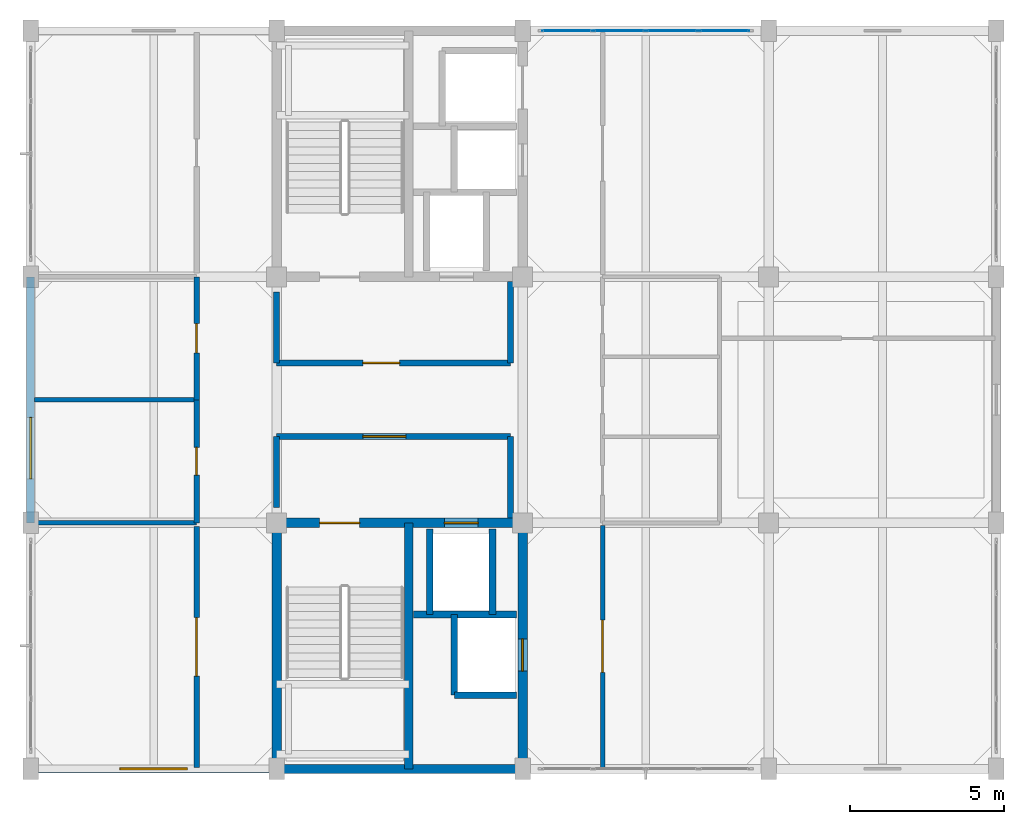
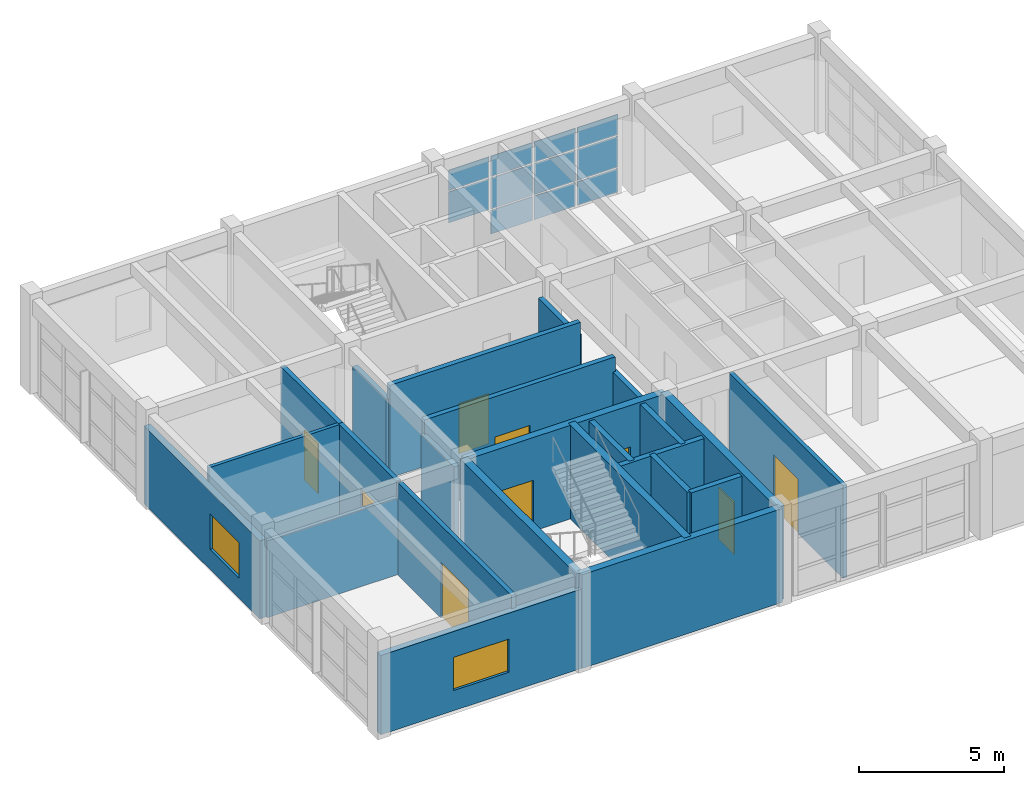
# One storey, part 12 of 16: 24 walls, 11 plates, 9 doors, 2 windows, 11 openings, 1 element without a shape of its own.
"""IFC4 building model written with IfcOpenShell, lengths in metres."""

from ifc_helpers import new_model, si_unit, direction, frame, frame_2d, origin, origin_2d, place, context, subcontext, project, spatial, rectangle, extrude, material, layer, layer_set, type_object, element, fill, aggregate, save


model = new_model("IFC4")

# Units and contexts
model_context = context("Model", 3, precision=1e-05, world=origin(), true_north=direction((0.0, 1.0)))
body_context = subcontext(model_context, "Body", "Model", "MODEL_VIEW")
ifc_project = project(units=[si_unit("LENGTHUNIT", "METRE"), si_unit("AREAUNIT", "SQUARE_METRE"), si_unit("VOLUMEUNIT", "CUBIC_METRE"), si_unit("PLANEANGLEUNIT", "RADIAN"), si_unit("MASSUNIT", "GRAM", prefix="KILO")], contexts=[model_context])

# Site, building, storey
site_placement = place(None, origin())
site = spatial("IfcSite", under=ifc_project, at=site_placement, CompositionType="ELEMENT")
building_placement = place(site_placement, origin())
building = spatial("IfcBuilding", under=site, at=building_placement, Name="Canggui Botanical Conservatory", CompositionType="ELEMENT")
storey_placement = place(building_placement, frame((0.0, 0.0, 65.39990234375)))
storey = spatial("IfcBuildingStorey", under=building, at=storey_placement, Name="L16", CompositionType="ELEMENT", Elevation=65.39990234375)

# Curtain wall, plates
ifc_material_1 = material(Name="Thermally Broken Aluminium", Category="aluminium")
ifc_layer_1 = layer(ifc_material_1, 0.179931640625, Name="Thermally Broken Aluminium", Category="aluminium")
ifc_layer_set_1 = layer_set([ifc_layer_1], Name="Thermally Broken Aluminium")
curtain_wall_type = type_object("IfcCurtainWallType", Name="CW-UNIT-A", PredefinedType="USERDEFINED", material=ifc_layer_set_1)
curtain_wall_placement = place(storey_placement, origin())
curtain_wall = element("IfcCurtainWall", 1, at=curtain_wall_placement, inside=storey, type_object=curtain_wall_type, Name="Facade Curtain Wall CW-TWR-L16-08", ObjectType="UNITISED CURTAIN WALL", PredefinedType="USERDEFINED")
ifc_material_2 = material(Name="Low-E Insulated Glass", Category="glass")
ifc_layer_2 = layer(ifc_material_2, 0.02587890625, Name="Low-E Insulated Glass", Category="glass")
ifc_layer_set_2 = layer_set([ifc_layer_2], Name="Low-E Insulated Glass")
plate_type = type_object("IfcPlateType", Name="CWP-01", PredefinedType="CURTAIN_PANEL", material=ifc_layer_set_2)
plate_1_placement = place(storey_placement, frame((163.4375, 66.0, 1.12353515625), z_axis=(0.0, 0.0, 1.0), x_axis=(1.0, 0.0, 0.0)))
plate_1 = element("IfcPlate", 2, at=plate_1_placement, type_object=plate_type, Name="CW-01 panel 1.2", PredefinedType="CURTAIN_PANEL", context=body_context, shape_type="SweptSolid", body=[
    extrude(rectangle(XDim=1.614990234375, YDim=0.02587890625, at=origin_2d()), origin(), (0.0, 0.0, 1.0), 1.299072265625),
])
plate_2_placement = place(storey_placement, frame((163.4375, 66.0, 2.48779296875), z_axis=(0.0, 0.0, 1.0), x_axis=(1.0, 0.0, 0.0)))
plate_2 = element("IfcPlate", 3, at=plate_2_placement, type_object=plate_type, Name="CW-01 panel 1.3", PredefinedType="CURTAIN_PANEL", context=body_context, shape_type="SweptSolid", body=[
    extrude(rectangle(XDim=1.614990234375, YDim=0.02587890625, at=origin_2d()), origin(), (0.0, 0.0, 1.0), 0.857421875),
])
plate_3_placement = place(storey_placement, frame((165.139892578125, 66.0, 0.065185546875), z_axis=(0.0, 0.0, 1.0), x_axis=(1.0, 0.0, 0.0)))
plate_3 = element("IfcPlate", 4, at=plate_3_placement, type_object=plate_type, Name="CW-01 panel 2.1", PredefinedType="CURTAIN_PANEL", context=body_context, shape_type="SweptSolid", body=[
    extrude(rectangle(XDim=1.64990234375, YDim=0.02587890625, at=origin_2d()), origin(), (0.0, 0.0, 1.0), 0.99365234375),
])
plate_4_placement = place(storey_placement, frame((165.139892578125, 66.0, 1.12353515625), z_axis=(0.0, 0.0, 1.0), x_axis=(1.0, 0.0, 0.0)))
plate_4 = element("IfcPlate", 5, at=plate_4_placement, type_object=plate_type, Name="CW-01 panel 2.2", PredefinedType="CURTAIN_PANEL", context=body_context, shape_type="SweptSolid", body=[
    extrude(rectangle(XDim=1.64990234375, YDim=0.02587890625, at=origin_2d()), origin(), (0.0, 0.0, 1.0), 1.299072265625),
])
plate_5_placement = place(storey_placement, frame((165.139892578125, 66.0, 2.48779296875), z_axis=(0.0, 0.0, 1.0), x_axis=(1.0, 0.0, 0.0)))
plate_5 = element("IfcPlate", 6, at=plate_5_placement, type_object=plate_type, Name="CW-01 panel 2.3", PredefinedType="CURTAIN_PANEL", context=body_context, shape_type="SweptSolid", body=[
    extrude(rectangle(XDim=1.64990234375, YDim=0.02587890625, at=origin_2d()), origin(), (0.0, 0.0, 1.0), 0.857421875),
])
plate_6_placement = place(storey_placement, frame((166.860107421875, 66.0, 0.065185546875), z_axis=(0.0, 0.0, 1.0), x_axis=(1.0, 0.0, 0.0)))
plate_6 = element("IfcPlate", 7, at=plate_6_placement, type_object=plate_type, Name="CW-01 panel 3.1", PredefinedType="CURTAIN_PANEL", context=body_context, shape_type="SweptSolid", body=[
    extrude(rectangle(XDim=1.64990234375, YDim=0.02587890625, at=origin_2d()), origin(), (0.0, 0.0, 1.0), 0.99365234375),
])
plate_7_placement = place(storey_placement, frame((166.860107421875, 66.0, 1.12353515625), z_axis=(0.0, 0.0, 1.0), x_axis=(1.0, 0.0, 0.0)))
plate_7 = element("IfcPlate", 8, at=plate_7_placement, type_object=plate_type, Name="CW-01 panel 3.2", PredefinedType="CURTAIN_PANEL", context=body_context, shape_type="SweptSolid", body=[
    extrude(rectangle(XDim=1.64990234375, YDim=0.02587890625, at=origin_2d()), origin(), (0.0, 0.0, 1.0), 1.299072265625),
])
plate_8_placement = place(storey_placement, frame((166.860107421875, 66.0, 2.48779296875), z_axis=(0.0, 0.0, 1.0), x_axis=(1.0, 0.0, 0.0)))
plate_8 = element("IfcPlate", 9, at=plate_8_placement, type_object=plate_type, Name="CW-01 panel 3.3", PredefinedType="CURTAIN_PANEL", context=body_context, shape_type="SweptSolid", body=[
    extrude(rectangle(XDim=1.64990234375, YDim=0.02587890625, at=origin_2d()), origin(), (0.0, 0.0, 1.0), 0.857421875),
])
plate_9_placement = place(storey_placement, frame((168.5625, 66.0, 0.065185546875), z_axis=(0.0, 0.0, 1.0), x_axis=(1.0, 0.0, 0.0)))
plate_9 = element("IfcPlate", 10, at=plate_9_placement, type_object=plate_type, Name="CW-01 panel 4.1", PredefinedType="CURTAIN_PANEL", context=body_context, shape_type="SweptSolid", body=[
    extrude(rectangle(XDim=1.614990234375, YDim=0.02587890625, at=origin_2d()), origin(), (0.0, 0.0, 1.0), 0.99365234375),
])
plate_10_placement = place(storey_placement, frame((168.5625, 66.0, 1.12353515625), z_axis=(0.0, 0.0, 1.0), x_axis=(1.0, 0.0, 0.0)))
plate_10 = element("IfcPlate", 11, at=plate_10_placement, type_object=plate_type, Name="CW-01 panel 4.2", PredefinedType="CURTAIN_PANEL", context=body_context, shape_type="SweptSolid", body=[
    extrude(rectangle(XDim=1.614990234375, YDim=0.02587890625, at=origin_2d()), origin(), (0.0, 0.0, 1.0), 1.299072265625),
])
plate_11_placement = place(storey_placement, frame((168.5625, 66.0, 2.48779296875), z_axis=(0.0, 0.0, 1.0), x_axis=(1.0, 0.0, 0.0)))
plate_11 = element("IfcPlate", 12, at=plate_11_placement, type_object=plate_type, Name="CW-01 panel 4.3", PredefinedType="CURTAIN_PANEL", context=body_context, shape_type="SweptSolid", body=[
    extrude(rectangle(XDim=1.614990234375, YDim=0.02587890625, at=origin_2d()), origin(), (0.0, 0.0, 1.0), 0.857421875),
])
aggregate(curtain_wall, [plate_1, plate_2, plate_3, plate_4, plate_5, plate_6, plate_7, plate_8, plate_9, plate_10, plate_11])

# Wall, opening, window
ifc_material_3 = material(Name="Precast Concrete C40", Category="concrete")
ifc_layer_3 = layer(ifc_material_3, 0.260009765625, Name="Precast Concrete C40", Category="concrete")
ifc_layer_set_3 = layer_set([ifc_layer_3], Name="Precast Concrete C40")
wall_type_1 = type_object("IfcWallType", Name="EW-260", PredefinedType="STANDARD", material=ifc_layer_set_3)
wall_1_placement = place(storey_placement, frame((154.0, 42.0, 0.0), z_axis=(0.0, 0.0, 1.0), x_axis=(-1.0, 0.0, 0.0)))
wall_1 = element("IfcWall", 13, at=wall_1_placement, inside=storey, type_object=wall_type_1, Name="Tower Insulated Exterior Wall L16-S3", PredefinedType="STANDARD", context=body_context, shape_type="SweptSolid", body=[
    extrude(rectangle(XDim=8.0, YDim=0.260009765625, at=frame_2d((4.0, 0.0))), origin(), (0.0, 0.0, 1.0), 3.340087890625),
])
opening_1_placement = place(wall_1_placement, frame((2.89990234375, 0.0, 0.85009765625)))
opening_1 = element("IfcOpeningElement", 14, at=opening_1_placement, cuts=wall_1, Name="Opening W-10", PredefinedType="OPENING", context=body_context, shape_type="SweptSolid", body=[
    extrude(rectangle(XDim=2.199951171875, YDim=1.39990234375, at=frame_2d((1.10009765625, 0.699951171875))), frame((0.0, 0.14013671875, 0.0), z_axis=(0.0, -1.0, 0.0), x_axis=(1.0, 0.0, 0.0)), (0.0, 0.0, 1.0), 0.280029296875),
])
window_type_1 = type_object("IfcWindowType", Name="WIN-10", PartitioningType="DOUBLE_PANEL_VERTICAL", PredefinedType="WINDOW", material=ifc_material_2)
window_1_placement = place(opening_1_placement, origin())
window_1 = element("IfcWindow", 15, at=window_1_placement, inside=storey, type_object=window_type_1, Name="Tower Window L16-3", OverallHeight=1.39990234375, OverallWidth=2.199951171875, PartitioningType="SINGLE_PANEL", PredefinedType="WINDOW", context=body_context, shape_type="SweptSolid", body=[
    extrude(rectangle(XDim=2.199951171875, YDim=1.39990234375, at=frame_2d((1.10009765625, 0.699951171875))), frame((0.0, 0.030029296875, 0.0), z_axis=(0.0, -1.0, 0.0), x_axis=(1.0, 0.0, 0.0)), (0.0, 0.0, 1.0), 0.06005859375),
])
fill(opening_1, window_1)

wall_2_placement = place(storey_placement, frame((146.0, 50.0, 0.0), z_axis=(0.0, 0.0, 1.0), x_axis=(0.0, 1.0, 0.0)))
wall_2 = element("IfcWall", 16, at=wall_2_placement, inside=storey, type_object=wall_type_1, Name="Tower Insulated Exterior Wall L16-W5", PredefinedType="STANDARD", context=body_context, shape_type="SweptSolid", body=[
    extrude(rectangle(XDim=8.0, YDim=0.260009765625, at=frame_2d((4.0, 0.0))), origin(), (0.0, 0.0, 1.0), 3.2900390625),
])
opening_2_placement = place(wall_2_placement, frame((1.43310546875, 0.0, 0.85009765625)))
opening_2 = element("IfcOpeningElement", 17, at=opening_2_placement, cuts=wall_2, Name="Opening W-11", PredefinedType="OPENING", context=body_context, shape_type="SweptSolid", body=[
    extrude(rectangle(XDim=2.0, YDim=1.5, at=frame_2d((1.0, 0.75))), frame((0.0, 0.14013671875, 0.0), z_axis=(0.0, -1.0, 0.0), x_axis=(1.0, 0.0, 0.0)), (0.0, 0.0, 1.0), 0.280029296875),
])
window_type_2 = type_object("IfcWindowType", Name="WIN-11", PartitioningType="DOUBLE_PANEL_VERTICAL", PredefinedType="WINDOW", material=ifc_material_2)
window_2_placement = place(opening_2_placement, origin())
window_2 = element("IfcWindow", 18, at=window_2_placement, inside=storey, type_object=window_type_2, Name="Tower Window L16-5", OverallHeight=1.5, OverallWidth=2.0, PartitioningType="SINGLE_PANEL", PredefinedType="WINDOW", context=body_context, shape_type="SweptSolid", body=[
    extrude(rectangle(XDim=2.0, YDim=1.5, at=frame_2d((1.0, 0.75))), frame((0.0, 0.030029296875, 0.0), z_axis=(0.0, -1.0, 0.0), x_axis=(1.0, 0.0, 0.0)), (0.0, 0.0, 1.0), 0.06005859375),
])
fill(opening_2, window_2)

# Wall, opening, door
ifc_material_4 = material(Name="Gypsum Plasterboard Partition")
ifc_layer_4 = layer(ifc_material_4, 0.175048828125, Name="Gypsum Plasterboard Partition")
ifc_layer_set_4 = layer_set([ifc_layer_4], Name="Gypsum Plasterboard Partition")
wall_type_2 = type_object("IfcWallType", Name="IW-CORR-175", PredefinedType="STANDARD", material=ifc_layer_set_4)
wall_3_placement = place(storey_placement, frame((151.39990234375, 42.050048828125, 0.0), z_axis=(0.0, 0.0, 1.0), x_axis=(0.0, 1.0, 0.0)))
wall_3 = element("IfcWall", 19, at=wall_3_placement, inside=storey, type_object=wall_type_2, Name="L16 Glasshouse Fertigation Control Room Corridor Wall", PredefinedType="STANDARD", context=body_context, shape_type="SweptSolid", body=[
    extrude(rectangle(XDim=7.829833984375, YDim=0.175048828125, at=frame_2d((3.9150390625, 0.0))), origin(), (0.0, 0.0, 1.0), 3.900146484375),
])
opening_3_placement = place(wall_3_placement, frame((2.965087890625, 0.0, 0.0)))
opening_3 = element("IfcOpeningElement", 20, at=opening_3_placement, cuts=wall_3, Name="Opening FD-18", PredefinedType="OPENING", context=body_context, shape_type="SweptSolid", body=[
    extrude(rectangle(XDim=1.89990234375, YDim=2.35009765625, at=frame_2d((0.949951171875, 1.175048828125))), frame((0.0, 0.09765625, 0.0), z_axis=(0.0, -1.0, 0.0), x_axis=(1.0, 0.0, 0.0)), (0.0, 0.0, 1.0), 0.195068359375),
])
ifc_material_5 = material(Name="Powder-Coated Steel", Category="steel")
door_type_1 = type_object("IfcDoorType", Name="FD-18", OperationType="NOTDEFINED", PredefinedType="DOOR", material=ifc_material_5)
door_1_placement = place(opening_3_placement, origin())
door_1 = element("IfcDoor", 21, at=door_1_placement, inside=storey, type_object=door_type_1, Name="L16 Glasshouse Fertigation Control Room Entrance Door", OperationType="DOUBLE_DOOR_SINGLE_SWING", OverallHeight=2.35009765625, OverallWidth=1.89990234375, PredefinedType="DOOR", context=body_context, shape_type="SweptSolid", body=[
    extrude(rectangle(XDim=1.89990234375, YDim=2.35009765625, at=frame_2d((0.949951171875, 1.175048828125))), frame((0.0, 0.02490234375, 0.0), z_axis=(0.0, -1.0, 0.0), x_axis=(1.0, 0.0, 0.0)), (0.0, 0.0, 1.0), 0.050048828125),
])
fill(opening_3, door_1)

wall_4_placement = place(storey_placement, frame((151.39990234375, 50.0, 0.0), z_axis=(0.0, 0.0, 1.0), x_axis=(0.0, 1.0, 0.0)))
wall_4 = element("IfcWall", 22, at=wall_4_placement, inside=storey, type_object=wall_type_2, Name="L16 Cleaners' Store Wall", PredefinedType="STANDARD", context=body_context, shape_type="SweptSolid", body=[
    extrude(rectangle(XDim=4.0, YDim=0.175048828125, at=frame_2d((2.0, 0.0))), origin(), (0.0, 0.0, 1.0), 3.900146484375),
])
opening_4_placement = place(wall_4_placement, frame((1.550048828125, 0.0, 0.0)))
opening_4 = element("IfcOpeningElement", 23, at=opening_4_placement, cuts=wall_4, Name="Opening FD-01", PredefinedType="OPENING", context=body_context, shape_type="SweptSolid", body=[
    extrude(rectangle(XDim=0.89990234375, YDim=2.10009765625, at=frame_2d((0.449951171875, 1.050048828125))), frame((0.0, 0.09765625, 0.0), z_axis=(0.0, -1.0, 0.0), x_axis=(1.0, 0.0, 0.0)), (0.0, 0.0, 1.0), 0.195068359375),
])
door_type_2 = type_object("IfcDoorType", Name="FD-01", OperationType="NOTDEFINED", PredefinedType="DOOR", material=ifc_material_5)
door_2_placement = place(opening_4_placement, origin())
door_2 = element("IfcDoor", 24, at=door_2_placement, inside=storey, type_object=door_type_2, Name="Interior Door IW-L16-STRW1", OperationType="SINGLE_SWING_LEFT", OverallHeight=2.10009765625, OverallWidth=0.89990234375, PredefinedType="DOOR", context=body_context, shape_type="SweptSolid", body=[
    extrude(rectangle(XDim=0.89990234375, YDim=2.10009765625, at=frame_2d((0.449951171875, 1.050048828125))), frame((0.0, 0.02490234375, 0.0), z_axis=(0.0, -1.0, 0.0), x_axis=(1.0, 0.0, 0.0)), (0.0, 0.0, 1.0), 0.050048828125),
])
fill(opening_4, door_2)

wall_5_placement = place(storey_placement, frame((151.39990234375, 54.0, 0.0), z_axis=(0.0, 0.0, 1.0), x_axis=(0.0, 1.0, 0.0)))
wall_5 = element("IfcWall", 25, at=wall_5_placement, inside=storey, type_object=wall_type_2, Name="L16 Consumables Store Wall", PredefinedType="STANDARD", context=body_context, shape_type="SweptSolid", body=[
    extrude(rectangle(XDim=4.0, YDim=0.175048828125, at=frame_2d((2.0, 0.0))), origin(), (0.0, 0.0, 1.0), 3.900146484375),
])
opening_5_placement = place(wall_5_placement, frame((1.52490234375, 0.0, 0.0)))
opening_5 = element("IfcOpeningElement", 26, at=opening_5_placement, cuts=wall_5, Name="Opening FD-02", PredefinedType="OPENING", context=body_context, shape_type="SweptSolid", body=[
    extrude(rectangle(XDim=0.949951171875, YDim=2.10009765625, at=frame_2d((0.47509765625, 1.050048828125))), frame((0.0, 0.09765625, 0.0), z_axis=(0.0, -1.0, 0.0), x_axis=(1.0, 0.0, 0.0)), (0.0, 0.0, 1.0), 0.195068359375),
])
door_type_3 = type_object("IfcDoorType", Name="FD-02", OperationType="NOTDEFINED", PredefinedType="DOOR", material=ifc_material_5)
door_3_placement = place(opening_5_placement, origin())
door_3 = element("IfcDoor", 27, at=door_3_placement, inside=storey, type_object=door_type_3, Name="Interior Door IW-L16-STRW2", OperationType="SINGLE_SWING_RIGHT", OverallHeight=2.10009765625, OverallWidth=0.949951171875, PredefinedType="DOOR", context=body_context, shape_type="SweptSolid", body=[
    extrude(rectangle(XDim=0.949951171875, YDim=2.10009765625, at=frame_2d((0.47509765625, 1.050048828125))), frame((0.0, 0.02490234375, 0.0), z_axis=(0.0, -1.0, 0.0), x_axis=(1.0, 0.0, 0.0)), (0.0, 0.0, 1.0), 0.050048828125),
])
fill(opening_5, door_3)

ifc_layer_5 = layer(ifc_material_4, 0.155029296875, Name="Gypsum Plasterboard Partition")
ifc_layer_set_5 = layer_set([ifc_layer_5], Name="Gypsum Plasterboard Partition")
wall_type_3 = type_object("IfcWallType", Name="IW-LAB-155", PredefinedType="STANDARD", material=ifc_layer_set_5)
wall_6_placement = place(storey_placement, frame((164.60009765625, 42.050048828125, 0.0), z_axis=(0.0, 0.0, 1.0), x_axis=(0.0, 1.0, 0.0)))
wall_6 = element("IfcWall", 28, at=wall_6_placement, inside=storey, type_object=wall_type_3, Name="L16 Acclimatisation Research Glasshouse Lab Wall", PredefinedType="STANDARD", context=body_context, shape_type="SweptSolid", body=[
    extrude(rectangle(XDim=7.869873046875, YDim=0.155029296875, at=frame_2d((3.93505859375, 0.0))), origin(), (0.0, 0.0, 1.0), 3.900146484375),
])
opening_6_placement = place(wall_6_placement, frame((3.0849609375, 0.0, 0.0)))
opening_6 = element("IfcOpeningElement", 29, at=opening_6_placement, cuts=wall_6, Name="Opening FD-16", PredefinedType="OPENING", context=body_context, shape_type="SweptSolid", body=[
    extrude(rectangle(XDim=1.699951171875, YDim=2.300048828125, at=frame_2d((0.85009765625, 1.14990234375))), frame((0.0, 0.08740234375, 0.0), z_axis=(0.0, -1.0, 0.0), x_axis=(1.0, 0.0, 0.0)), (0.0, 0.0, 1.0), 0.175048828125),
])
door_type_4 = type_object("IfcDoorType", Name="FD-16", OperationType="NOTDEFINED", PredefinedType="DOOR", material=ifc_material_5)
door_4_placement = place(opening_6_placement, origin())
door_4 = element("IfcDoor", 30, at=door_4_placement, inside=storey, type_object=door_type_4, Name="Interior Door IW-L16-ECOR-1-1", OperationType="DOUBLE_DOOR_SINGLE_SWING", OverallHeight=2.300048828125, OverallWidth=1.699951171875, PredefinedType="DOOR", context=body_context, shape_type="SweptSolid", body=[
    extrude(rectangle(XDim=1.699951171875, YDim=2.300048828125, at=frame_2d((0.85009765625, 1.14990234375))), frame((0.0, 0.02490234375, 0.0), z_axis=(0.0, -1.0, 0.0), x_axis=(1.0, 0.0, 0.0)), (0.0, 0.0, 1.0), 0.050048828125),
])
fill(opening_6, door_4)

ifc_material_6 = material(Name="Concrete C35", Category="concrete")
ifc_layer_6 = layer(ifc_material_6, 0.195068359375, Name="Concrete C35", Category="concrete")
ifc_layer_set_6 = layer_set([ifc_layer_6], Name="Concrete C35")
wall_type_4 = type_object("IfcWallType", Name="IW-LOBBY-195", PredefinedType="STANDARD", material=ifc_layer_set_6)
wall_7_placement = place(storey_placement, frame((154.0, 52.800048828125, 0.0), z_axis=(0.0, 0.0, 1.0), x_axis=(1.0, 0.0, 0.0)))
wall_7 = element("IfcWall", 31, at=wall_7_placement, inside=storey, type_object=wall_type_4, Name="L16 South Firefighting Lift Lobby North Wall", PredefinedType="STANDARD", context=body_context, shape_type="SweptSolid", body=[
    extrude(rectangle(XDim=7.60009765625, YDim=0.195068359375, at=frame_2d((3.800048828125, 0.0))), origin(), (0.0, 0.0, 1.0), 3.900146484375),
])
opening_7_placement = place(wall_7_placement, frame((2.800048828125, 0.0, 0.0)))
opening_7 = element("IfcOpeningElement", 32, at=opening_7_placement, cuts=wall_7, Name="Opening FD-11", PredefinedType="OPENING", context=body_context, shape_type="SweptSolid", body=[
    extrude(rectangle(XDim=1.39990234375, YDim=2.199951171875, at=frame_2d((0.699951171875, 1.10009765625))), frame((0.0, 0.107421875, 0.0), z_axis=(0.0, -1.0, 0.0), x_axis=(1.0, 0.0, 0.0)), (0.0, 0.0, 1.0), 0.215087890625),
])
door_type_5 = type_object("IfcDoorType", Name="FD-11", OperationType="NOTDEFINED", PredefinedType="DOOR", material=ifc_material_5)
door_5_placement = place(opening_7_placement, origin())
door_5 = element("IfcDoor", 33, at=door_5_placement, inside=storey, type_object=door_type_5, Name="L16 South Firefighting Lobby Fire Door", OperationType="SINGLE_SWING_LEFT", OverallHeight=2.199951171875, OverallWidth=1.39990234375, PredefinedType="DOOR", context=body_context, shape_type="SweptSolid", body=[
    extrude(rectangle(XDim=1.39990234375, YDim=2.199951171875, at=frame_2d((0.699951171875, 1.10009765625))), frame((0.0, 0.02490234375, 0.0), z_axis=(0.0, -1.0, 0.0), x_axis=(1.0, 0.0, 0.0)), (0.0, 0.0, 1.0), 0.050048828125),
])
fill(opening_7, door_5)

# Walls
wall_8_placement = place(storey_placement, frame((161.60009765625, 50.14990234375, 0.0), z_axis=(0.0, 0.0, 1.0), x_axis=(0.0, 1.0, 0.0)))
element("IfcWall", 34, at=wall_8_placement, inside=storey, type_object=wall_type_4, Name="L16 South Firefighting Lift Lobby East Wall", PredefinedType="STANDARD", context=body_context, shape_type="SweptSolid", body=[
    extrude(rectangle(XDim=2.650146484375, YDim=0.195068359375, at=frame_2d((1.3251953125, 0.0))), origin(), (0.0, 0.0, 1.0), 3.2900390625),
])
wall_9_placement = place(storey_placement, frame((154.0, 50.5, 0.0), z_axis=(0.0, 0.0, 1.0), x_axis=(0.0, 1.0, 0.0)))
element("IfcWall", 35, at=wall_9_placement, inside=storey, type_object=wall_type_4, Name="L16 South Firefighting Lift Lobby West Wall", PredefinedType="STANDARD", context=body_context, shape_type="SweptSolid", body=[
    extrude(rectangle(XDim=2.300048828125, YDim=0.195068359375, at=frame_2d((1.14990234375, 0.0))), origin(), (0.0, 0.0, 1.0), 3.2900390625),
])

# Wall, opening, door
wall_10_placement = place(storey_placement, frame((154.0, 55.199951171875, 0.0), z_axis=(0.0, 0.0, 1.0), x_axis=(1.0, 0.0, 0.0)))
wall_10 = element("IfcWall", 36, at=wall_10_placement, inside=storey, type_object=wall_type_4, Name="L16 North Firefighting Lift Lobby South Wall", PredefinedType="STANDARD", context=body_context, shape_type="SweptSolid", body=[
    extrude(rectangle(XDim=7.60009765625, YDim=0.195068359375, at=frame_2d((3.800048828125, 0.0))), origin(), (0.0, 0.0, 1.0), 3.900146484375),
])
opening_8_placement = place(wall_10_placement, frame((2.800048828125, 0.0, 0.0)))
opening_8 = element("IfcOpeningElement", 37, at=opening_8_placement, cuts=wall_10, Name="Opening FD-07", PredefinedType="OPENING", context=body_context, shape_type="SweptSolid", body=[
    extrude(rectangle(XDim=1.199951171875, YDim=2.10009765625, at=frame_2d((0.60009765625, 1.050048828125))), frame((0.0, 0.107421875, 0.0), z_axis=(0.0, -1.0, 0.0), x_axis=(1.0, 0.0, 0.0)), (0.0, 0.0, 1.0), 0.215087890625),
])
door_type_6 = type_object("IfcDoorType", Name="FD-07", OperationType="NOTDEFINED", PredefinedType="DOOR", material=ifc_material_5)
door_6_placement = place(opening_8_placement, origin())
door_6 = element("IfcDoor", 38, at=door_6_placement, inside=storey, type_object=door_type_6, Name="L16 North Firefighting Lobby Fire Door", OperationType="SINGLE_SWING_RIGHT", OverallHeight=2.10009765625, OverallWidth=1.199951171875, PredefinedType="DOOR", context=body_context, shape_type="SweptSolid", body=[
    extrude(rectangle(XDim=1.199951171875, YDim=2.10009765625, at=frame_2d((0.60009765625, 1.050048828125))), frame((0.0, 0.02490234375, 0.0), z_axis=(0.0, -1.0, 0.0), x_axis=(1.0, 0.0, 0.0)), (0.0, 0.0, 1.0), 0.050048828125),
])
fill(opening_8, door_6)

# Walls
wall_11_placement = place(storey_placement, frame((161.60009765625, 55.199951171875, 0.0), z_axis=(0.0, 0.0, 1.0), x_axis=(0.0, 1.0, 0.0)))
element("IfcWall", 39, at=wall_11_placement, inside=storey, type_object=wall_type_4, Name="L16 North Firefighting Lift Lobby East Wall", PredefinedType="STANDARD", context=body_context, shape_type="SweptSolid", body=[
    extrude(rectangle(XDim=2.650146484375, YDim=0.195068359375, at=frame_2d((1.3251953125, 0.0))), origin(), (0.0, 0.0, 1.0), 3.2900390625),
])
wall_12_placement = place(storey_placement, frame((154.0, 55.199951171875, 0.0), z_axis=(0.0, 0.0, 1.0), x_axis=(0.0, 1.0, 0.0)))
element("IfcWall", 40, at=wall_12_placement, inside=storey, type_object=wall_type_4, Name="L16 North Firefighting Lift Lobby West Wall", PredefinedType="STANDARD", context=body_context, shape_type="SweptSolid", body=[
    extrude(rectangle(XDim=2.300048828125, YDim=0.195068359375, at=frame_2d((1.14990234375, 0.0))), origin(), (0.0, 0.0, 1.0), 3.2900390625),
])
ifc_layer_7 = layer(ifc_material_4, 0.139892578125, Name="Gypsum Plasterboard Partition")
ifc_layer_set_7 = layer_set([ifc_layer_7], Name="Gypsum Plasterboard Partition")
wall_type_5 = type_object("IfcWallType", Name="IW-PART-140", PredefinedType="STANDARD", material=ifc_layer_set_7)
wall_13_placement = place(storey_placement, frame((146.1201171875, 50.0, 0.0), z_axis=(0.0, 0.0, 1.0), x_axis=(1.0, 0.0, 0.0)))
element("IfcWall", 41, at=wall_13_placement, inside=storey, type_object=wall_type_5, Name="L16 Store South Cross Wall", PredefinedType="STANDARD", context=body_context, shape_type="SweptSolid", body=[
    extrude(rectangle(XDim=5.27978515625, YDim=0.139892578125, at=frame_2d((2.639892578125, 0.0))), origin(), (0.0, 0.0, 1.0), 3.239990234375),
])
wall_14_placement = place(storey_placement, frame((146.1201171875, 54.0, 0.0), z_axis=(0.0, 0.0, 1.0), x_axis=(1.0, 0.0, 0.0)))
element("IfcWall", 42, at=wall_14_placement, inside=storey, type_object=wall_type_5, Name="L16 Store Cross Wall", PredefinedType="STANDARD", context=body_context, shape_type="SweptSolid", body=[
    extrude(rectangle(XDim=5.27978515625, YDim=0.139892578125, at=frame_2d((2.639892578125, 0.0))), origin(), (0.0, 0.0, 1.0), 3.900146484375),
])
ifc_layer_8 = layer(ifc_material_6, 0.215087890625, Name="Concrete C35", Category="concrete")
ifc_layer_set_8 = layer_set([ifc_layer_8], Name="Concrete C35")
wall_type_6 = type_object("IfcWallType", Name="IW-SHAFT-215", PredefinedType="STANDARD", material=ifc_layer_set_8)
wall_15_placement = place(storey_placement, frame((158.449951171875, 47.02001953125, 0.0), z_axis=(0.0, 0.0, 1.0), x_axis=(1.0, 0.0, 0.0)))
element("IfcWall", 43, at=wall_15_placement, inside=storey, type_object=wall_type_6, Name="Core T1 Lift Shaft Divider L16", PredefinedType="STANDARD", context=body_context, shape_type="SweptSolid", body=[
    extrude(rectangle(XDim=3.35009765625, YDim=0.215087890625, at=frame_2d((1.675048828125, 0.0))), origin(), (0.0, 0.0, 1.0), 3.900146484375),
])
for number, where, z_axis, x_axis, name in (
    (44, (158.97998046875, 47.02001953125, 0.0), (0.0, 0.0, 1.0), (0.0, 1.0, 0.0), "Core T1 FL-01 West Shaft Wall L16"),
    (45, (161.02001953125, 47.02001953125, 0.0), (0.0, 0.0, 1.0), (0.0, 1.0, 0.0), "Core T1 FL-01 East Shaft Wall L16"),
):
    element("IfcWall", number, at=place(storey_placement, frame(where, z_axis=z_axis, x_axis=x_axis)), inside=storey, type_object=wall_type_6, Name=name, PredefinedType="STANDARD", context=body_context, shape_type="SweptSolid", body=[
        extrude(rectangle(XDim=2.780029296875, YDim=0.215087890625, at=frame_2d((1.39013671875, 0.0))), origin(), (0.0, 0.0, 1.0), 3.900146484375),
    ])
wall_16_placement = place(storey_placement, frame((159.780029296875, 44.39990234375, 0.0), z_axis=(0.0, 0.0, 1.0), x_axis=(0.0, 1.0, 0.0)))
element("IfcWall", 46, at=wall_16_placement, inside=storey, type_object=wall_type_6, Name="Core T1 PL-01 West Shaft Wall L16", PredefinedType="STANDARD", context=body_context, shape_type="SweptSolid", body=[
    extrude(rectangle(XDim=2.6201171875, YDim=0.215087890625, at=frame_2d((1.31005859375, 0.0))), origin(), (0.0, 0.0, 1.0), 3.900146484375),
])
wall_17_placement = place(storey_placement, frame((159.780029296875, 44.39990234375, 0.0), z_axis=(0.0, 0.0, 1.0), x_axis=(1.0, 0.0, 0.0)))
element("IfcWall", 47, at=wall_17_placement, inside=storey, type_object=wall_type_6, Name="Core T1 PL-01 South Shaft Wall L16", PredefinedType="STANDARD", context=body_context, shape_type="SweptSolid", body=[
    extrude(rectangle(XDim=2.02001953125, YDim=0.215087890625, at=frame_2d((1.010009765625, 0.0))), origin(), (0.0, 0.0, 1.0), 3.900146484375),
])
ifc_layer_9 = layer(ifc_material_6, 0.280029296875, Name="Concrete C35", Category="concrete")
ifc_layer_set_9 = layer_set([ifc_layer_9], Name="Concrete C35")
wall_type_7 = type_object("IfcWallType", Name="WALL-SH-280-C35", PredefinedType="SHEAR", material=ifc_layer_set_9)
wall_18_placement = place(storey_placement, frame((158.300048828125, 42.0, 0.0), z_axis=(0.0, 0.0, 1.0), x_axis=(0.0, 1.0, 0.0)))
element("IfcWall", 48, at=wall_18_placement, inside=storey, type_object=wall_type_7, Name="Core T1 Internal Shear Web L16", PredefinedType="SHEAR", context=body_context, shape_type="SweptSolid", body=[
    extrude(rectangle(XDim=8.0, YDim=0.280029296875, at=frame_2d((4.0, 0.0))), origin(), (0.0, 0.0, 1.0), 3.9501953125),
])
ifc_layer_10 = layer(ifc_material_6, 0.300048828125, Name="Concrete C35", Category="concrete")
ifc_layer_set_10 = layer_set([ifc_layer_10], Name="Concrete C35")
wall_type_8 = type_object("IfcWallType", Name="WALL-SH-300-C35", PredefinedType="SHEAR", material=ifc_layer_set_10)
wall_19_placement = place(storey_placement, frame((154.0, 42.0, 0.0), z_axis=(0.0, 0.0, 1.0), x_axis=(1.0, 0.0, 0.0)))
element("IfcWall", 49, at=wall_19_placement, inside=storey, type_object=wall_type_8, Name="Core T1 Shear Wall L16-S", PredefinedType="SHEAR", context=body_context, shape_type="SweptSolid", body=[
    extrude(rectangle(XDim=8.0, YDim=0.300048828125, at=frame_2d((4.0, 0.0))), origin(), (0.0, 0.0, 1.0), 3.9501953125),
])

# Wall, opening, door
wall_20_placement = place(storey_placement, frame((162.0, 42.0, 0.0), z_axis=(0.0, 0.0, 1.0), x_axis=(0.0, 1.0, 0.0)))
wall_20 = element("IfcWall", 50, at=wall_20_placement, inside=storey, type_object=wall_type_8, Name="Core T1 Shear Wall L16-E", PredefinedType="SHEAR", context=body_context, shape_type="SweptSolid", body=[
    extrude(rectangle(XDim=8.0, YDim=0.300048828125, at=frame_2d((4.0, 0.0))), origin(), (0.0, 0.0, 1.0), 3.9501953125),
])
opening_9_placement = place(wall_20_placement, frame((3.175048828125, 0.0, 0.0)))
opening_9 = element("IfcOpeningElement", 51, at=opening_9_placement, cuts=wall_20, Name="Opening LD-02", PredefinedType="OPENING", context=body_context, shape_type="SweptSolid", body=[
    extrude(rectangle(XDim=1.050048828125, YDim=2.199951171875, at=frame_2d((0.52490234375, 1.10009765625))), frame((0.0, 0.16015625, 0.0), z_axis=(0.0, -1.0, 0.0), x_axis=(1.0, 0.0, 0.0)), (0.0, 0.0, 1.0), 0.320068359375),
])
ifc_material_7 = material(Name="Stainless Steel 304", Category="steel")
door_type_7 = type_object("IfcDoorType", Name="LDR-02", OperationType="NOTDEFINED", PredefinedType="DOOR", material=ifc_material_7)
door_7_placement = place(opening_9_placement, origin())
door_7 = element("IfcDoor", 52, at=door_7_placement, inside=storey, type_object=door_type_7, Name="Passenger Lift PL-01 Landing Door L16", OperationType="SLIDING_TO_LEFT", OverallHeight=2.199951171875, OverallWidth=1.050048828125, PredefinedType="DOOR", context=body_context, shape_type="SweptSolid", body=[
    extrude(rectangle(XDim=1.050048828125, YDim=2.199951171875, at=frame_2d((0.52490234375, 1.10009765625))), frame((0.0, 0.02490234375, 0.0), z_axis=(0.0, -1.0, 0.0), x_axis=(1.0, 0.0, 0.0)), (0.0, 0.0, 1.0), 0.050048828125),
])
fill(opening_9, door_7)

# Wall, openings, doors
wall_21_placement = place(storey_placement, frame((162.0, 50.0, 0.0), z_axis=(0.0, 0.0, 1.0), x_axis=(-1.0, 0.0, 0.0)))
wall_21 = element("IfcWall", 53, at=wall_21_placement, inside=storey, type_object=wall_type_8, Name="Core T1 Shear Wall L16-N", PredefinedType="SHEAR", context=body_context, shape_type="SweptSolid", body=[
    extrude(rectangle(XDim=8.0, YDim=0.300048828125, at=frame_2d((4.0, 0.0))), origin(), (0.0, 0.0, 1.0), 3.9501953125),
])
opening_10_placement = place(wall_21_placement, frame((5.300048828125, 0.0, 0.0)))
opening_10 = element("IfcOpeningElement", 54, at=opening_10_placement, cuts=wall_21, Name="Opening FD-09", PredefinedType="OPENING", context=body_context, shape_type="SweptSolid", body=[
    extrude(rectangle(XDim=1.300048828125, YDim=2.14990234375, at=frame_2d((0.64990234375, 1.074951171875))), frame((0.0, 0.16015625, 0.0), z_axis=(0.0, -1.0, 0.0), x_axis=(1.0, 0.0, 0.0)), (0.0, 0.0, 1.0), 0.320068359375),
])
opening_11_placement = place(wall_21_placement, frame((1.449951171875, 0.0, 0.0)))
opening_11 = element("IfcOpeningElement", 55, at=opening_11_placement, cuts=wall_21, Name="Opening LD-01", PredefinedType="OPENING", context=body_context, shape_type="SweptSolid", body=[
    extrude(rectangle(XDim=1.10009765625, YDim=2.199951171875, at=frame_2d((0.550048828125, 1.10009765625))), frame((0.0, 0.16015625, 0.0), z_axis=(0.0, -1.0, 0.0), x_axis=(1.0, 0.0, 0.0)), (0.0, 0.0, 1.0), 0.320068359375),
])
door_type_8 = type_object("IfcDoorType", Name="FD-09", OperationType="NOTDEFINED", PredefinedType="DOOR", material=ifc_material_5)
door_8_placement = place(opening_10_placement, origin())
door_8 = element("IfcDoor", 56, at=door_8_placement, inside=storey, type_object=door_type_8, Name="Tower South Smoke-Proof Stair Door L16", OperationType="SINGLE_SWING_LEFT", OverallHeight=2.14990234375, OverallWidth=1.300048828125, PredefinedType="DOOR", context=body_context, shape_type="SweptSolid", body=[
    extrude(rectangle(XDim=1.300048828125, YDim=2.14990234375, at=frame_2d((0.64990234375, 1.074951171875))), frame((0.0, 0.02490234375, 0.0), z_axis=(0.0, -1.0, 0.0), x_axis=(1.0, 0.0, 0.0)), (0.0, 0.0, 1.0), 0.050048828125),
])
fill(opening_10, door_8)
door_type_9 = type_object("IfcDoorType", Name="LDR-01", OperationType="NOTDEFINED", PredefinedType="DOOR", material=ifc_material_7)
door_9_placement = place(opening_11_placement, origin())
door_9 = element("IfcDoor", 57, at=door_9_placement, inside=storey, type_object=door_type_9, Name="Firefighting Lift FL-01 Landing Door L16", OperationType="SLIDING_TO_LEFT", OverallHeight=2.199951171875, OverallWidth=1.10009765625, PredefinedType="DOOR", context=body_context, shape_type="SweptSolid", body=[
    extrude(rectangle(XDim=1.10009765625, YDim=2.199951171875, at=frame_2d((0.550048828125, 1.10009765625))), frame((0.0, 0.02490234375, 0.0), z_axis=(0.0, -1.0, 0.0), x_axis=(1.0, 0.0, 0.0)), (0.0, 0.0, 1.0), 0.050048828125),
])
fill(opening_11, door_9)

# Wall
wall_22_placement = place(storey_placement, frame((154.0, 50.0, 0.0), z_axis=(0.0, 0.0, 1.0), x_axis=(0.0, -1.0, 0.0)))
element("IfcWall", 58, at=wall_22_placement, inside=storey, type_object=wall_type_8, Name="Core T1 Shear Wall L16-W", PredefinedType="SHEAR", context=body_context, shape_type="SweptSolid", body=[
    extrude(rectangle(XDim=8.0, YDim=0.300048828125, at=frame_2d((4.0, 0.0))), origin(), (0.0, 0.0, 1.0), 3.9501953125),
])

save(model, "model.ifc")
